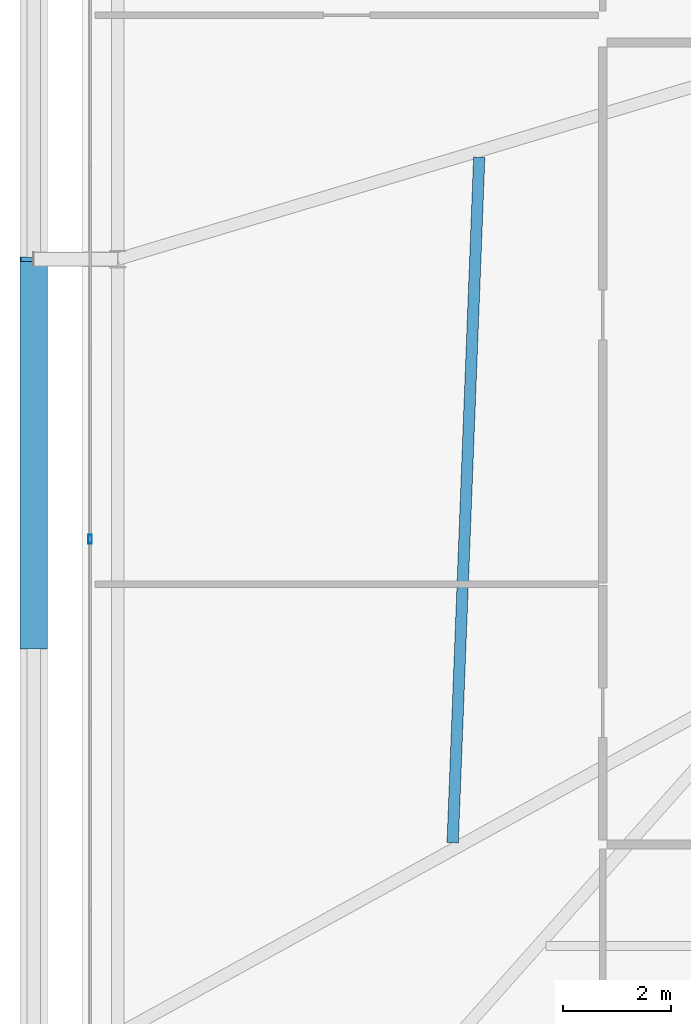
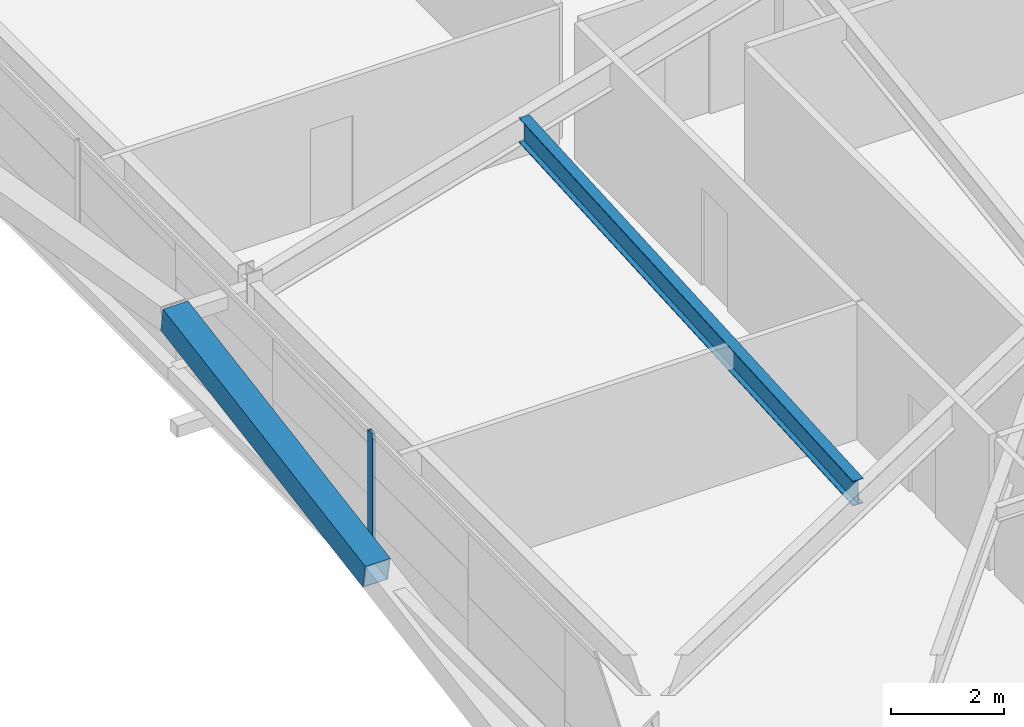
# One storey, part 8 of 44: 2 members, 1 beam, 1 element without a shape of its own.
"""IFC4 building model written with IfcOpenShell, lengths in metres."""

from ifc_helpers import new_model, si_unit, direction, frame, origin, origin_2d, place, context, subcontext, project, spatial, hollow_rectangle, i_section, extrude, source, transform, mapped, material, layer, layer_set, material_profile, profile_set, type_object, element, aggregate, save


model = new_model("IFC4")

# Units and contexts
model_context = context("Model", 3, precision=1e-05, world=origin(), true_north=direction((0.0, 1.0)))
body_context = subcontext(model_context, "Body", "Model", "MODEL_VIEW")
ifc_project = project(units=[si_unit("LENGTHUNIT", "METRE"), si_unit("AREAUNIT", "SQUARE_METRE"), si_unit("VOLUMEUNIT", "CUBIC_METRE"), si_unit("PLANEANGLEUNIT", "RADIAN"), si_unit("MASSUNIT", "GRAM", prefix="KILO")], contexts=[model_context])

# Site, building, storey
site_placement = place(None, origin())
site = spatial("IfcSite", under=ifc_project, at=site_placement, CompositionType="ELEMENT")
building_placement = place(site_placement, origin())
building = spatial("IfcBuilding", under=site, at=building_placement, Name="Taldren Reach Tower", CompositionType="ELEMENT")
storey_placement = place(building_placement, frame((0.0, 0.0, 42.0)))
storey = spatial("IfcBuildingStorey", under=building, at=storey_placement, Name="L12", CompositionType="ELEMENT", Elevation=42.0)

# Beam
ifc_material_1 = material(Name="Steel Gr 350 (350PLUS)", Category="steel")
ifc_material_profile_1 = material_profile(ifc_material_1, i_section(OverallWidth=0.208984375, OverallDepth=0.532958984375, WebThickness=0.01025390625, FlangeThickness=0.015625, at=origin_2d()), Name="530UB92.4")
ifc_profile_set_1 = profile_set([ifc_material_profile_1], Name="Steel Gr 350 (350PLUS)")
beam_type = type_object("IfcBeamType", Name="BM-UB530A", PredefinedType="BEAM", material=ifc_profile_set_1)
shared_shape_1 = source(origin(), body_context, "Body", "SweptSolid", [
    extrude(i_section(OverallWidth=0.208984375, OverallDepth=0.532958984375, WebThickness=0.01025390625, FlangeThickness=0.015625, at=origin_2d()), origin(), (0.0, 0.0, 1.0), 12.65625),
])
beam_placement = place(storey_placement, frame((11.830078125, 9.23291015625, 2.66357421875), z_axis=(0.0387346395, 0.99924953225, 0.0), x_axis=(-0.99924953225, 0.0387346395, 0.0)))
element("IfcBeam", 1, at=beam_placement, inside=storey, type_object=beam_type, Name="Secondary floor beam B1 J6 L12", PredefinedType="BEAM", context=body_context, shape_type="MappedRepresentation", body=[
    mapped(shared_shape_1, transform((0.0, 0.0, 0.0), scale=1.0)),
])

# Member
ifc_material_2 = material(Name="Steel Gr 450 (C450L0)", Category="steel")
ifc_material_profile_2 = material_profile(ifc_material_2, hollow_rectangle(XDim=0.510009765625, YDim=0.510009765625, WallThickness=0.02001953125, at=origin_2d()), Name="510x510x20.0SHS")
ifc_profile_set_2 = profile_set([ifc_material_profile_2], Name="Steel Gr 450 (C450L0)")
member_type_1 = type_object("IfcMemberType", Name="MB-EXO508", PredefinedType="BRACE", material=ifc_profile_set_2)
shared_shape_2 = source(origin(), body_context, "Body", "SweptSolid", [
    extrude(hollow_rectangle(XDim=0.510009765625, YDim=0.510009765625, WallThickness=0.02001953125, at=origin_2d()), origin(), (0.0, 0.0, 1.0), 7.25244140625),
])
member_1_placement = place(storey_placement, frame((4.10009765625, 12.85009765625, 1.43505859375), z_axis=(0.0, 0.985870415536, 0.167509772168), x_axis=(-1.0, 0.0, 0.0)))
element("IfcMember", 2, at=member_1_placement, inside=storey, type_object=member_type_1, Name="Exoskeleton Diagrid Brace B1-W1 L12", PredefinedType="BRACE", context=body_context, shape_type="MappedRepresentation", body=[
    mapped(shared_shape_2, transform((0.0, 0.0, 0.0), scale=1.0)),
])

# Curtain wall, member
ifc_material_3 = material(Name="Aluminium and Low-E Glass Unitised System", Category="aluminium")
ifc_layer = layer(ifc_material_3, 0.159912109375)
ifc_layer_set = layer_set([ifc_layer], Name="Aluminium and Low-E Glass Unitised System")
curtain_wall_type = type_object("IfcCurtainWallType", Name="CW-SYS-2", PredefinedType="NOTDEFINED", material=ifc_layer_set)
curtain_wall_placement = place(storey_placement, origin())
curtain_wall = element("IfcCurtainWall", 3, at=curtain_wall_placement, inside=storey, type_object=curtain_wall_type, Name="Unitised curtain wall CW-L12-W", PredefinedType="NOTDEFINED")
ifc_material_4 = material(Name="Anodised Aluminium 6063-T6", Category="aluminium")
ifc_material_profile_3 = material_profile(ifc_material_4, hollow_rectangle(XDim=0.06494140625, YDim=0.1650390625, WallThickness=0.00390625, at=origin_2d()), Name="ALU-165x65x4RHS")
ifc_profile_set_3 = profile_set([ifc_material_profile_3], Name="Anodised Aluminium 6063-T6")
member_type_2 = type_object("IfcMemberType", Name="CW-MUL-165", PredefinedType="MULLION", material=ifc_profile_set_3)
shared_shape_3 = source(origin(), body_context, "Body", "SweptSolid", [
    extrude(hollow_rectangle(XDim=0.06494140625, YDim=0.1650390625, WallThickness=0.00390625, at=origin_2d()), origin(), (0.0, 0.0, 1.0), 2.929931640625),
])
member_2_placement = place(storey_placement, frame((5.139892578125, 14.833251953125, 0.0), z_axis=(0.0, 0.0, 1.0), x_axis=(1.0, 0.0, 0.0)))
member_2 = element("IfcMember", 4, at=member_2_placement, type_object=member_type_2, Name="CW-2 mullion 3", PredefinedType="MULLION", context=body_context, shape_type="MappedRepresentation", body=[
    mapped(shared_shape_3, transform((0.0, 0.0, 0.0), scale=1.0)),
])
aggregate(curtain_wall, [member_2])

save(model, "model.ifc")
